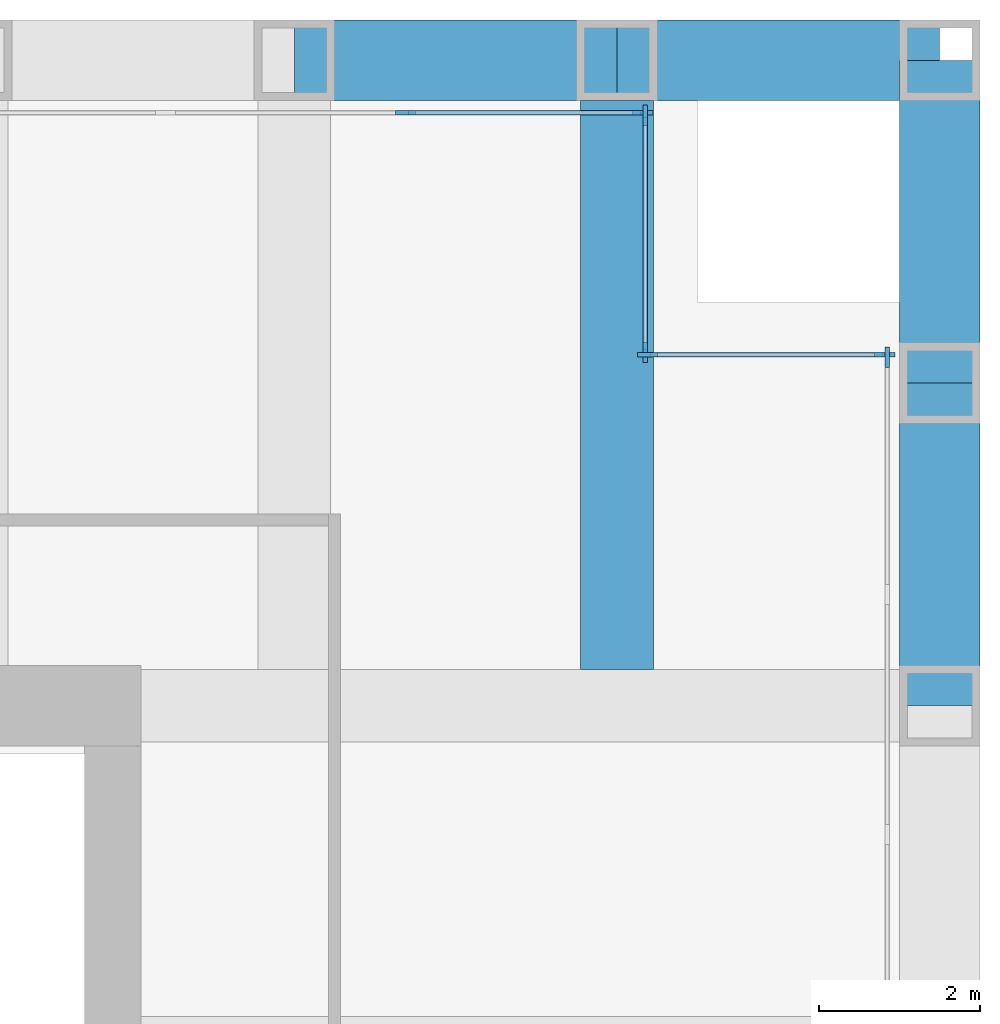
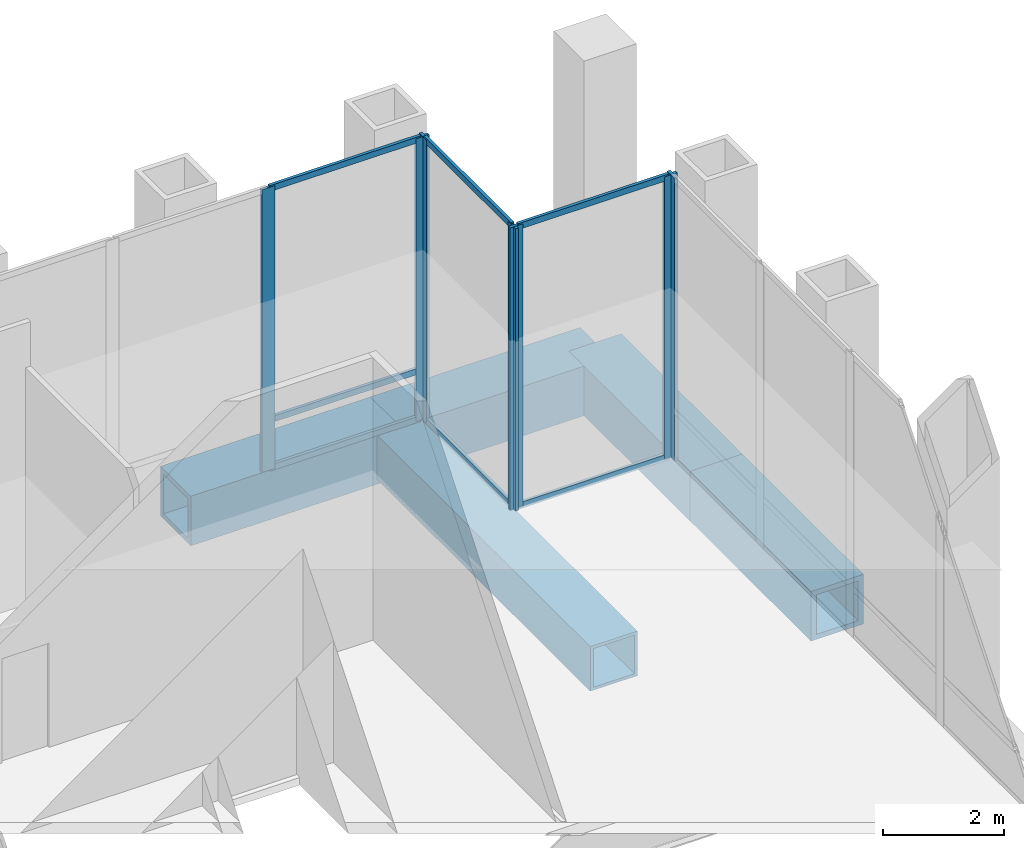
# One storey, part 7 of 12: 14 members, 5 beams, 4 elements without a shape of their own.
"""IFC4 building model written with IfcOpenShell, lengths in metres."""

from ifc_helpers import new_model, si_unit, direction, frame, origin, origin_2d, place, context, subcontext, project, spatial, rectangle, hollow_rectangle, extrude, material, material_profile, profile_set, type_object, element, aggregate, save


model = new_model("IFC4")

# Units and contexts
model_context = context("Model", 3, precision=1e-05, world=origin(), true_north=direction((0.0, 1.0)))
body_context = subcontext(model_context, "Body", "Model", "MODEL_VIEW")
ifc_project = project(units=[si_unit("LENGTHUNIT", "METRE"), si_unit("AREAUNIT", "SQUARE_METRE"), si_unit("VOLUMEUNIT", "CUBIC_METRE"), si_unit("PLANEANGLEUNIT", "RADIAN"), si_unit("MASSUNIT", "GRAM", prefix="KILO")], contexts=[model_context])

# Site, building, storey
site_placement = place(None, origin())
site = spatial("IfcSite", under=ifc_project, at=site_placement, CompositionType="ELEMENT")
building_placement = place(site_placement, origin())
building = spatial("IfcBuilding", under=site, at=building_placement, Name="Rimbunsela Tower", CompositionType="ELEMENT")
storey_placement = place(building_placement, frame((0.0, 0.0, 298.199951171875)))
storey = spatial("IfcBuildingStorey", under=building, at=storey_placement, Name="L72", CompositionType="ELEMENT", Elevation=298.199951171875)

# Beams
ifc_material_1 = material(Name="Steel BJ 55 (fy 410 MPa)", Category="steel")
ifc_material_profile_1 = material_profile(ifc_material_1, hollow_rectangle(XDim=1.0, YDim=1.0, WallThickness=0.10009765625, at=origin_2d()), Name="BOX 1000x1000x100")
ifc_profile_set_1 = profile_set([ifc_material_profile_1], Name="Steel BJ 55 (fy 410 MPa)")
beam_type_1 = type_object("IfcBeamType", Name="Beam BOX 1000x1000x100", PredefinedType="BEAM", material=ifc_profile_set_1)
for number, where, z_axis, x_axis, name in (
    (1, (38.0, 44.0, -0.64990234375), (1.0, 0.0, 0.0), (0.0, 1.0, 0.0), "Beam B3 L72"),
    (2, (42.0, 44.0, -0.64990234375), (1.0, 0.0, 0.0), (0.0, 1.0, 0.0), "Beam B3 L72"),
    (3, (46.0, 36.0, -0.64990234375), (0.0, 1.0, 0.0), (-1.0, 0.0, 0.0), "Beam B3 L72"),
    (4, (46.0, 40.0, -0.64990234375), (0.0, 1.0, 0.0), (-1.0, 0.0, 0.0), "Beam B3 L72"),
):
    element("IfcBeam", number, at=place(storey_placement, frame(where, z_axis=z_axis, x_axis=x_axis)), inside=storey, type_object=beam_type_1, Name=name, PredefinedType="BEAM", context=body_context, shape_type="SweptSolid", body=[
        extrude(hollow_rectangle(XDim=1.0, YDim=1.0, WallThickness=0.10009765625, at=origin_2d()), origin(), (0.0, 0.0, 1.0), 4.0),
    ])
ifc_material_2 = material(Name="Steel BJ 55 (fy 410 MPa)", Category="steel")
ifc_material_profile_2 = material_profile(ifc_material_2, hollow_rectangle(XDim=0.89990234375, YDim=0.89990234375, WallThickness=0.06005859375, at=origin_2d()), Name="BOX 900x900x60")
ifc_profile_set_2 = profile_set([ifc_material_profile_2], Name="Steel BJ 55 (fy 410 MPa)")
beam_type_2 = type_object("IfcBeamType", Name="Beam BOX 900x900x60", PredefinedType="BEAM", material=ifc_profile_set_2)
beam_placement = place(storey_placement, frame((42.0, 36.449951171875, -0.599853515625), z_axis=(0.0, 1.0, 0.0), x_axis=(-1.0, 0.0, 0.0)))
element("IfcBeam", 5, at=beam_placement, inside=storey, type_object=beam_type_2, Name="Beam B1 L72", PredefinedType="BEAM", context=body_context, shape_type="SweptSolid", body=[
    extrude(hollow_rectangle(XDim=0.89990234375, YDim=0.89990234375, WallThickness=0.06005859375, at=origin_2d()), origin(), (0.0, 0.0, 1.0), 7.550048828125),
])

# Curtain wall, member
ifc_material_3 = material(Name="Aluminium curtain wall", Category="aluminium")
curtain_wall_type_1 = type_object("IfcCurtainWallType", Name="Crown glazing", PredefinedType="USERDEFINED", material=ifc_material_3)
curtain_wall_1_placement = place(storey_placement, origin())
curtain_wall_1 = element("IfcCurtainWall", 6, at=curtain_wall_1_placement, inside=storey, type_object=curtain_wall_type_1, Name="Crown glazing L72", ObjectType="CROWN GLAZING", PredefinedType="USERDEFINED")
ifc_material_4 = material(Name="Aluminium mullion", Category="aluminium")
ifc_material_profile_3 = material_profile(ifc_material_4, rectangle(XDim=0.06005859375, YDim=0.25, at=origin_2d()), Name="Mullion 60x250")
ifc_profile_set_3 = profile_set([ifc_material_profile_3], Name="Aluminium mullion")
member_type_1 = type_object("IfcMemberType", Name="Curtain wall mullion 60x250", PredefinedType="MULLION", material=ifc_profile_set_3)
member_1_placement = place(storey_placement, frame((45.35009765625, 40.320068359375, 0.0), z_axis=(0.0, 0.0, 1.0), x_axis=(-1.0, 0.0, 0.0)))
member_1 = element("IfcMember", 7, at=member_1_placement, type_object=member_type_1, Name="CW6 mullion 12", PredefinedType="MULLION", context=body_context, shape_type="SweptSolid", body=[
    extrude(rectangle(XDim=0.06005859375, YDim=0.25, at=origin_2d()), origin(), (0.0, 0.0, 1.0), 5.699951171875),
])
aggregate(curtain_wall_1, [member_1])

# Curtain wall, members
ifc_material_5 = material(Name="Aluminium curtain wall", Category="aluminium")
curtain_wall_type_2 = type_object("IfcCurtainWallType", Name="Corner glazing", PredefinedType="USERDEFINED", material=ifc_material_5)
curtain_wall_2_placement = place(storey_placement, origin())
curtain_wall_2 = element("IfcCurtainWall", 8, at=curtain_wall_2_placement, inside=storey, type_object=curtain_wall_type_2, Name="Corner glazing L72", ObjectType="CORNER GLAZING", PredefinedType="USERDEFINED")
member_2_placement = place(storey_placement, frame((45.320068359375, 40.35009765625, 0.0), z_axis=(0.0, 0.0, 1.0), x_axis=(0.0, -1.0, 0.0)))
member_2 = element("IfcMember", 9, at=member_2_placement, type_object=member_type_1, Name="CW5 mullion 1", PredefinedType="MULLION", context=body_context, shape_type="SweptSolid", body=[
    extrude(rectangle(XDim=0.06005859375, YDim=0.25, at=origin_2d()), origin(), (0.0, 0.0, 1.0), 5.699951171875),
])
member_3_placement = place(storey_placement, frame((42.3798828125, 40.35009765625, 0.0), z_axis=(0.0, 0.0, 1.0), x_axis=(0.0, -1.0, 0.0)))
member_3 = element("IfcMember", 10, at=member_3_placement, type_object=member_type_1, Name="CW5 mullion 2", PredefinedType="MULLION", context=body_context, shape_type="SweptSolid", body=[
    extrude(rectangle(XDim=0.06005859375, YDim=0.25, at=origin_2d()), origin(), (0.0, 0.0, 1.0), 5.699951171875),
])

curtain_wall_3_placement = place(storey_placement, origin())
curtain_wall_3 = element("IfcCurtainWall", 11, at=curtain_wall_3_placement, inside=storey, type_object=curtain_wall_type_2, Name="Corner glazing L72", ObjectType="CORNER GLAZING", PredefinedType="USERDEFINED")
member_4_placement = place(storey_placement, frame((42.35009765625, 40.3798828125, 0.0), z_axis=(0.0, 0.0, 1.0), x_axis=(-1.0, 0.0, 0.0)))
member_4 = element("IfcMember", 12, at=member_4_placement, type_object=member_type_1, Name="CW5 mullion 1", PredefinedType="MULLION", context=body_context, shape_type="SweptSolid", body=[
    extrude(rectangle(XDim=0.06005859375, YDim=0.25, at=origin_2d()), origin(), (0.0, 0.0, 1.0), 5.699951171875),
])
member_5_placement = place(storey_placement, frame((42.35009765625, 43.320068359375, 0.0), z_axis=(0.0, 0.0, 1.0), x_axis=(-1.0, 0.0, 0.0)))
member_5 = element("IfcMember", 13, at=member_5_placement, type_object=member_type_1, Name="CW5 mullion 2", PredefinedType="MULLION", context=body_context, shape_type="SweptSolid", body=[
    extrude(rectangle(XDim=0.06005859375, YDim=0.25, at=origin_2d()), origin(), (0.0, 0.0, 1.0), 5.699951171875),
])

curtain_wall_4_placement = place(storey_placement, origin())
curtain_wall_4 = element("IfcCurtainWall", 14, at=curtain_wall_4_placement, inside=storey, type_object=curtain_wall_type_1, Name="Crown glazing L72", ObjectType="CROWN GLAZING", PredefinedType="USERDEFINED")
member_6_placement = place(storey_placement, frame((42.320068359375, 43.35009765625, 0.0), z_axis=(0.0, 0.0, 1.0), x_axis=(0.0, -1.0, 0.0)))
member_6 = element("IfcMember", 15, at=member_6_placement, type_object=member_type_1, Name="CW6 mullion 1", PredefinedType="MULLION", context=body_context, shape_type="SweptSolid", body=[
    extrude(rectangle(XDim=0.06005859375, YDim=0.25, at=origin_2d()), origin(), (0.0, 0.0, 1.0), 5.699951171875),
])
member_7_placement = place(storey_placement, frame((39.377197265625, 43.35009765625, 0.0), z_axis=(0.0, 0.0, 1.0), x_axis=(0.0, -1.0, 0.0)))
member_7 = element("IfcMember", 16, at=member_7_placement, type_object=member_type_1, Name="CW6 mullion 2", PredefinedType="MULLION", context=body_context, shape_type="SweptSolid", body=[
    extrude(rectangle(XDim=0.06005859375, YDim=0.25, at=origin_2d()), origin(), (0.0, 0.0, 1.0), 5.699951171875),
])

# Member
ifc_material_6 = material(Name="Aluminium transom", Category="aluminium")
ifc_material_profile_4 = material_profile(ifc_material_6, rectangle(XDim=0.06005859375, YDim=0.1201171875, at=origin_2d()), Name="Transom 60x120")
ifc_profile_set_4 = profile_set([ifc_material_profile_4], Name="Aluminium transom")
member_type_2 = type_object("IfcMemberType", Name="Curtain wall transom 60x120", PredefinedType="USERDEFINED", material=ifc_profile_set_4)
member_8_placement = place(storey_placement, frame((45.2900390625, 40.35009765625, 0.030029296875), z_axis=(-1.0, 0.0, 0.0), x_axis=(0.0, -1.0, 0.0)))
member_8 = element("IfcMember", 17, at=member_8_placement, type_object=member_type_2, Name="CW5 transom 1.1", ObjectType="TRANSOM", PredefinedType="USERDEFINED", context=body_context, shape_type="SweptSolid", body=[
    extrude(rectangle(XDim=0.06005859375, YDim=0.1201171875, at=origin_2d()), origin(), (0.0, 0.0, 1.0), 2.880126953125),
])

member_9_placement = place(storey_placement, frame((45.2900390625, 40.35009765625, 5.670166015625), z_axis=(-1.0, 0.0, 0.0), x_axis=(0.0, -1.0, 0.0)))
member_9 = element("IfcMember", 18, at=member_9_placement, type_object=member_type_2, Name="CW5 transom 1.2", ObjectType="TRANSOM", PredefinedType="USERDEFINED", context=body_context, shape_type="SweptSolid", body=[
    extrude(rectangle(XDim=0.06005859375, YDim=0.1201171875, at=origin_2d()), origin(), (0.0, 0.0, 1.0), 2.880126953125),
])

aggregate(curtain_wall_2, [member_2, member_3, member_8, member_9])

member_10_placement = place(storey_placement, frame((42.35009765625, 40.409912109375, 0.030029296875), z_axis=(0.0, 1.0, 0.0), x_axis=(-1.0, 0.0, 0.0)))
member_10 = element("IfcMember", 19, at=member_10_placement, type_object=member_type_2, Name="CW5 transom 1.1", ObjectType="TRANSOM", PredefinedType="USERDEFINED", context=body_context, shape_type="SweptSolid", body=[
    extrude(rectangle(XDim=0.06005859375, YDim=0.1201171875, at=origin_2d()), origin(), (0.0, 0.0, 1.0), 2.880126953125),
])

member_11_placement = place(storey_placement, frame((42.35009765625, 40.409912109375, 5.670166015625), z_axis=(0.0, 1.0, 0.0), x_axis=(-1.0, 0.0, 0.0)))
member_11 = element("IfcMember", 20, at=member_11_placement, type_object=member_type_2, Name="CW5 transom 1.2", ObjectType="TRANSOM", PredefinedType="USERDEFINED", context=body_context, shape_type="SweptSolid", body=[
    extrude(rectangle(XDim=0.06005859375, YDim=0.1201171875, at=origin_2d()), origin(), (0.0, 0.0, 1.0), 2.880126953125),
])

aggregate(curtain_wall_3, [member_4, member_5, member_10, member_11])

member_12_placement = place(storey_placement, frame((42.2900390625, 43.35009765625, 0.030029296875), z_axis=(-1.0, 0.0, 0.0), x_axis=(0.0, -1.0, 0.0)))
member_12 = element("IfcMember", 21, at=member_12_placement, type_object=member_type_2, Name="CW6 transom 1.1", ObjectType="TRANSOM", PredefinedType="USERDEFINED", context=body_context, shape_type="SweptSolid", body=[
    extrude(rectangle(XDim=0.06005859375, YDim=0.1201171875, at=origin_2d()), origin(), (0.0, 0.0, 1.0), 2.8828125),
])

member_13_placement = place(storey_placement, frame((42.2900390625, 43.35009765625, 1.0), z_axis=(-1.0, 0.0, 0.0), x_axis=(0.0, -1.0, 0.0)))
member_13 = element("IfcMember", 22, at=member_13_placement, type_object=member_type_2, Name="CW6 transom 1.2", ObjectType="TRANSOM", PredefinedType="USERDEFINED", context=body_context, shape_type="SweptSolid", body=[
    extrude(rectangle(XDim=0.06005859375, YDim=0.1201171875, at=origin_2d()), origin(), (0.0, 0.0, 1.0), 2.8828125),
])

member_14_placement = place(storey_placement, frame((42.2900390625, 43.35009765625, 5.670166015625), z_axis=(-1.0, 0.0, 0.0), x_axis=(0.0, -1.0, 0.0)))
member_14 = element("IfcMember", 23, at=member_14_placement, type_object=member_type_2, Name="CW6 transom 1.3", ObjectType="TRANSOM", PredefinedType="USERDEFINED", context=body_context, shape_type="SweptSolid", body=[
    extrude(rectangle(XDim=0.06005859375, YDim=0.1201171875, at=origin_2d()), origin(), (0.0, 0.0, 1.0), 2.8828125),
])

aggregate(curtain_wall_4, [member_6, member_7, member_12, member_13, member_14])

save(model, "model.ifc")
